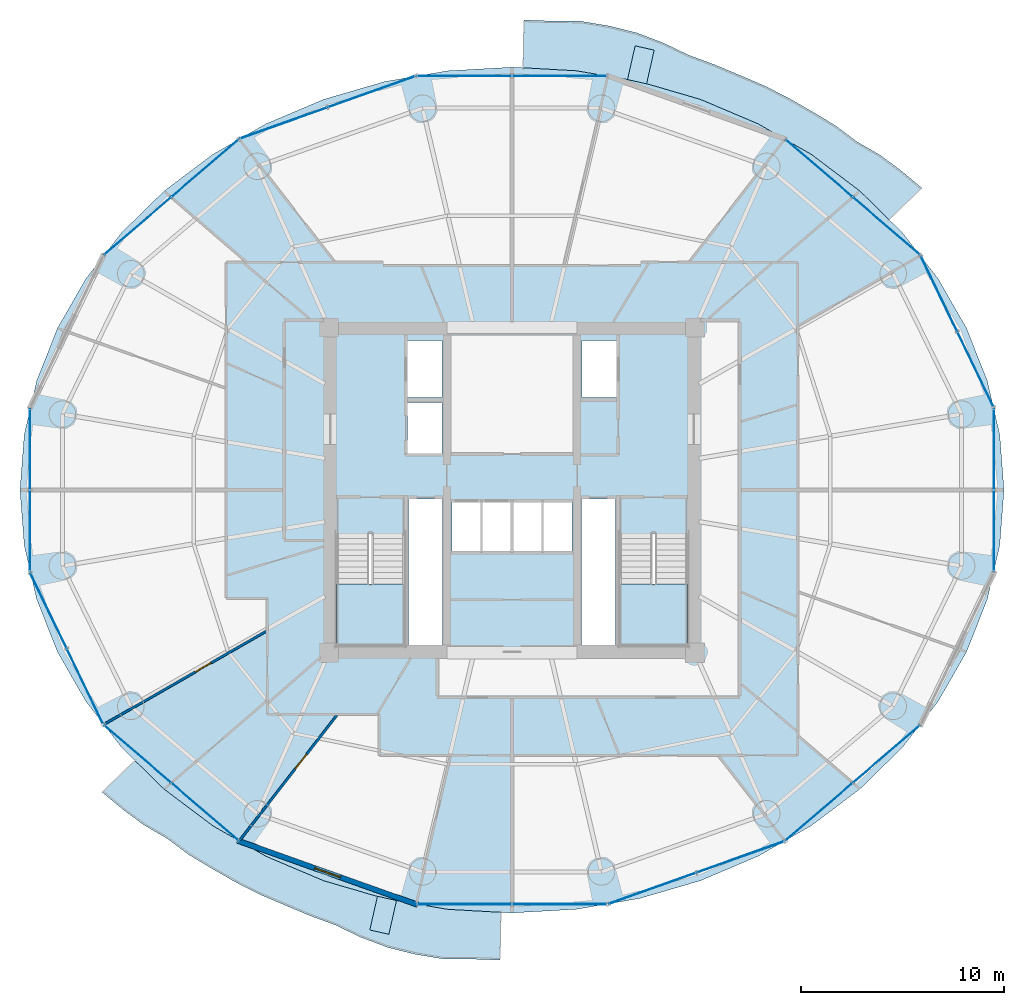
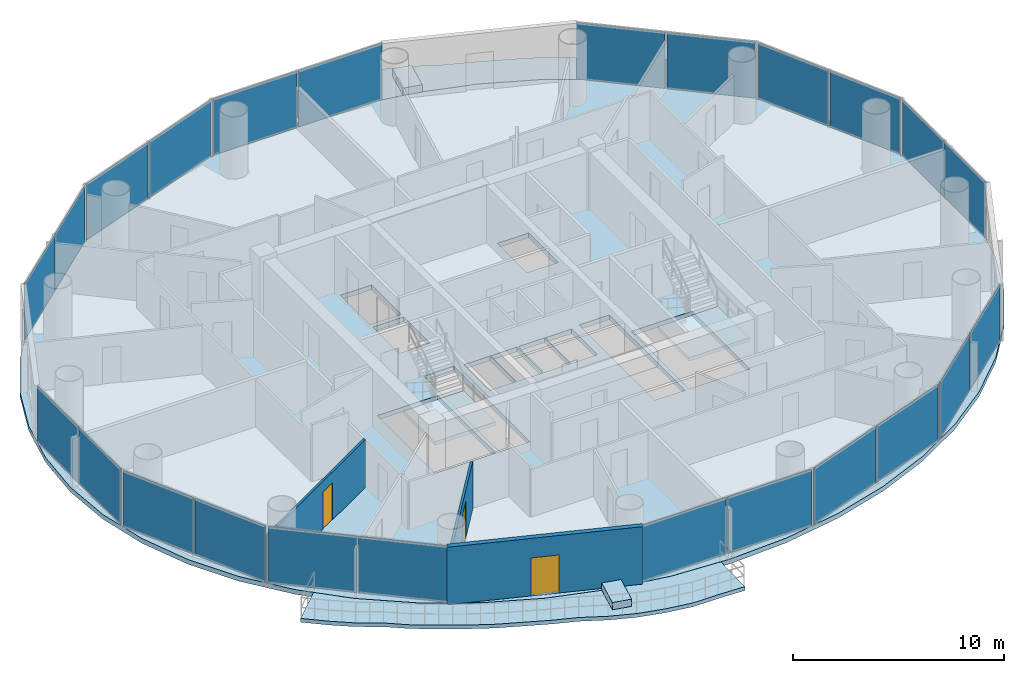
# One storey, part 20 of 27: 24 plates, 7 slabs, 3 doors, 3 walls, 3 openings, 14 elements without a shape of their own.
"""IFC4 building model written with IfcOpenShell, lengths in metres."""

from ifc_helpers import new_model, si_unit, direction, frame, frame_2d, origin, origin_2d, place, context, subcontext, project, spatial, polyline, rectangle, outline, extrude, source, transform, mapped, material, layer, layer_set, type_object, element, fill, aggregate, save


model = new_model("IFC4")

# Units and contexts
model_context = context("Model", 3, precision=1e-05, world=origin(), true_north=direction((-0.2419218956, 0.970295726276)))
body_context = subcontext(model_context, "Body", "Model", "MODEL_VIEW")
ifc_project = project(units=[si_unit("LENGTHUNIT", "METRE"), si_unit("AREAUNIT", "SQUARE_METRE"), si_unit("VOLUMEUNIT", "CUBIC_METRE"), si_unit("PLANEANGLEUNIT", "RADIAN"), si_unit("MASSUNIT", "GRAM", prefix="KILO")], contexts=[model_context])

# Site, building, storey
site_placement = place(None, origin())
site = spatial("IfcSite", under=ifc_project, at=site_placement, CompositionType="ELEMENT")
building_placement = place(site_placement, origin())
building = spatial("IfcBuilding", under=site, at=building_placement, Name="Cobrevalo Terracotta Tower", CompositionType="ELEMENT")
storey_placement = place(building_placement, frame((0.0, 0.0, 160.60009765625)))
storey = spatial("IfcBuildingStorey", under=building, at=storey_placement, Name="L42", CompositionType="ELEMENT", Elevation=160.60009765625)

# Stair, slab
ifc_material_1 = material(Name="Concrete C50", Category="concrete")
stair_type = type_object("IfcStairType", Name="Core protected escape dogleg stair 1600", PredefinedType="HALF_TURN_STAIR", material=ifc_material_1)
stair_1_placement = place(storey_placement, origin())
stair_1 = element("IfcStair", 1, at=stair_1_placement, inside=storey, type_object=stair_type, Name="L42 Protected exit stair ST-1", PredefinedType="HALF_TURN_STAIR")
ifc_layer_1 = layer(ifc_material_1, 0.199951171875)
ifc_layer_set_1 = layer_set([ifc_layer_1], Name="Concrete C50")
slab_type_1 = type_object("IfcSlabType", Name="Reinforced Concrete Stair Landing 200", PredefinedType="LANDING", material=ifc_layer_set_1)
slab_1_placement = place(storey_placement, frame((0.0, 0.0, 1.599853515625)))
slab_1 = element("IfcSlab", 2, at=slab_1_placement, type_object=slab_type_1, Name="ST-1 landing 1", PredefinedType="LANDING", context=body_context, shape_type="SweptSolid", body=[
    extrude(outline(polyline([(29.375, 22.179931640625), (29.375, 19.175048828125), (32.695068359375, 19.175048828125), (32.695068359375, 22.179931640625), (29.375, 22.179931640625)])), origin(), (0.0, 0.0, 1.0), 0.199951171875),
])
aggregate(stair_1, [slab_1])

stair_2_placement = place(storey_placement, origin())
stair_2 = element("IfcStair", 3, at=stair_2_placement, inside=storey, type_object=stair_type, Name="L42 Protected exit stair ST-2", PredefinedType="HALF_TURN_STAIR")
slab_2_placement = place(storey_placement, frame((0.0, 0.0, 1.599853515625)))
slab_2 = element("IfcSlab", 4, at=slab_2_placement, type_object=slab_type_1, Name="ST-2 landing 1", PredefinedType="LANDING", context=body_context, shape_type="SweptSolid", body=[
    extrude(outline(polyline([(43.304931640625, 22.179931640625), (43.304931640625, 19.175048828125), (46.625, 19.175048828125), (46.625, 22.179931640625), (43.304931640625, 22.179931640625)])), origin(), (0.0, 0.0, 1.0), 0.199951171875),
])
aggregate(stair_2, [slab_2])

# Slabs
ifc_material_2 = material(Name="Concrete C45", Category="concrete")
ifc_layer_2 = layer(ifc_material_2, 0.219970703125)
ifc_layer_set_2 = layer_set([ifc_layer_2], Name="Concrete C45")
slab_type_2 = type_object("IfcSlabType", Name="Spiralling cantilevered balcony lobe slab 220 mm", PredefinedType="FLOOR", material=ifc_layer_set_2)
slab_3_placement = place(storey_placement, frame((0.0, 0.0, -0.22021484375)))
element("IfcSlab", 5, at=slab_3_placement, inside=storey, type_object=slab_type_2, Name="L42 spiralling arc balcony slab lobe 1", PredefinedType="FLOOR", context=body_context, shape_type="SweptSolid", body=[
    extrude(outline(polyline([(58.165283203125, 41.65478515625), (57.156982421875, 42.4951171875), (56.10546875, 43.275634765625), (54.95654296875, 43.941650390625), (53.909423828125, 44.7275390625), (52.773681640625, 45.410888671875), (51.62109375, 46.072021484375), (50.434326171875, 46.67919921875), (49.195556640625, 47.205810546875), (47.9560546875, 47.728271484375), (46.6796875, 48.19921875), (45.427490234375, 48.8017578125), (44.1240234375, 49.292724609375), (42.768310546875, 49.630859375), (41.39111328125, 49.861572265625), (39.987060546875, 49.86962890625), (38.590576171875, 49.920654296875), (38.544921875, 47.5712890625), (41.158935546875, 47.424072265625), (44.263916015625, 46.893310546875), (47.26171875, 46.0185546875), (50.10107421875, 44.81494140625), (52.733154296875, 43.30322265625), (55.11328125, 41.50927734375), (56.556640625, 40.0947265625), (58.165283203125, 41.65478515625)])), origin(), (0.0, 0.0, 1.0), 0.22021484375),
])
slab_4_placement = place(storey_placement, frame((0.0, 0.0, -0.22021484375)))
element("IfcSlab", 6, at=slab_4_placement, inside=storey, type_object=slab_type_2, Name="L42 spiralling arc balcony slab lobe 2", PredefinedType="FLOOR", context=body_context, shape_type="SweptSolid", body=[
    extrude(outline(polyline([(17.834716796875, 11.945068359375), (18.843017578125, 11.10498046875), (19.89453125, 10.32421875), (21.04345703125, 9.658203125), (22.090576171875, 8.87255859375), (23.226318359375, 8.189208984375), (24.37890625, 7.52783203125), (25.565673828125, 6.920654296875), (26.804443359375, 6.39404296875), (28.0439453125, 5.871826171875), (29.3203125, 5.400634765625), (30.572509765625, 4.798095703125), (31.8759765625, 4.307373046875), (33.231689453125, 3.96923828125), (34.60888671875, 3.738525390625), (36.012939453125, 3.730224609375), (37.409423828125, 3.67919921875), (37.455078125, 6.02880859375), (34.841064453125, 6.176025390625), (31.736083984375, 6.706787109375), (28.73828125, 7.58154296875), (25.89892578125, 8.784912109375), (23.266845703125, 10.296630859375), (20.88671875, 12.0908203125), (19.443359375, 13.50537109375), (17.834716796875, 11.945068359375)])), origin(), (0.0, 0.0, 1.0), 0.22021484375),
])
ifc_material_3 = material(Name="Precast concrete C45", Category="concrete")
ifc_layer_3 = layer(ifc_material_3, 0.419921875)
ifc_layer_set_3 = layer_set([ifc_layer_3], Name="Precast concrete C45")
slab_type_3 = type_object("IfcSlabType", Name="Structural tree planter trough base 420 mm", PredefinedType="USERDEFINED", material=ifc_layer_set_3)
slab_5_placement = place(storey_placement, origin())
element("IfcSlab", 7, at=slab_5_placement, inside=storey, type_object=slab_type_3, Name="L42 structural tree planter trough 1", ObjectType="PLANTER", PredefinedType="USERDEFINED", context=body_context, shape_type="SweptSolid", body=[
    extrude(outline(polyline([(44.618408203125, 46.780517578125), (44.993408203125, 48.4384765625), (44.05712890625, 48.650390625), (43.68212890625, 46.9921875), (44.618408203125, 46.780517578125)])), origin(), (0.0, 0.0, 1.0), 0.419921875),
])
slab_6_placement = place(storey_placement, origin())
element("IfcSlab", 8, at=slab_6_placement, inside=storey, type_object=slab_type_3, Name="L42 structural tree planter trough 2", ObjectType="PLANTER", PredefinedType="USERDEFINED", context=body_context, shape_type="SweptSolid", body=[
    extrude(outline(polyline([(31.381591796875, 6.819580078125), (31.006591796875, 5.161376953125), (31.94287109375, 4.94970703125), (32.31787109375, 6.60791015625), (31.381591796875, 6.819580078125)])), origin(), (0.0, 0.0, 1.0), 0.419921875),
])
ifc_layer_4 = layer(ifc_material_1, 0.27001953125)
ifc_layer_set_4 = layer_set([ifc_layer_4], Name="Concrete C50")
slab_type_4 = type_object("IfcSlabType", Name="Zone Z3 elliptical floor plate 270 mm", PredefinedType="FLOOR", material=ifc_layer_set_4)
slab_7_placement = place(storey_placement, frame((0.0, 0.0, -0.27001953125)))
element("IfcSlab", 9, at=slab_7_placement, inside=storey, type_object=slab_type_4, Name="L42 indoor elliptical floor slab", PredefinedType="FLOOR", context=body_context, shape_type="SweptSolid", body=[
    extrude(outline(polyline([(61.992919921875, 24.0849609375), (61.37548828125, 21.41650390625), (60.35791015625, 18.840087890625), (58.957763671875, 16.39990234375), (57.19921875, 14.1376953125), (55.112060546875, 12.09228515625), (52.73193359375, 10.29833984375), (50.10009765625, 8.78662109375), (47.260986328125, 7.583251953125), (44.263427734375, 6.708740234375), (41.15869140625, 6.177978515625), (38.0, 6.0), (34.84130859375, 6.177978515625), (31.736572265625, 6.708740234375), (28.739013671875, 7.583251953125), (25.89990234375, 8.78662109375), (23.26806640625, 10.29833984375), (20.887939453125, 12.09228515625), (18.80078125, 14.1376953125), (17.042236328125, 16.39990234375), (15.64208984375, 18.840087890625), (14.62451171875, 21.41650390625), (14.007080078125, 24.0849609375), (13.800048828125, 26.800048828125), (14.007080078125, 29.514892578125), (14.62451171875, 32.183349609375), (15.64208984375, 34.759765625), (17.042236328125, 37.199951171875), (18.80078125, 39.462158203125), (20.887939453125, 41.5078125), (23.26806640625, 43.3017578125), (25.89990234375, 44.813232421875), (28.739013671875, 46.0166015625), (31.736572265625, 46.891357421875), (34.84130859375, 47.422119140625), (38.0, 47.60009765625), (41.15869140625, 47.422119140625), (44.263427734375, 46.891357421875), (47.260986328125, 46.0166015625), (50.10009765625, 44.813232421875), (52.73193359375, 43.3017578125), (55.112060546875, 41.5078125), (57.19921875, 39.462158203125), (58.957763671875, 37.199951171875), (60.35791015625, 34.759765625), (61.37548828125, 32.183349609375), (61.992919921875, 29.514892578125), (62.199951171875, 26.800048828125), (61.992919921875, 24.0849609375)]), holes=[polyline([(32.695068359375, 19.175048828125), (32.695068359375, 24.659912109375), (29.375, 24.659912109375), (29.375, 19.175048828125), (32.695068359375, 19.175048828125)]), polyline([(34.574951171875, 26.360107421875), (32.919921875, 26.360107421875), (32.919921875, 19.175048828125), (34.574951171875, 19.175048828125), (34.574951171875, 26.360107421875)]), polyline([(36.47998046875, 26.25), (35.050048828125, 26.25), (35.050048828125, 23.800048828125), (36.47998046875, 23.800048828125), (36.47998046875, 26.25)]), polyline([(37.9599609375, 23.800048828125), (37.9599609375, 26.25), (36.530029296875, 26.25), (36.530029296875, 23.800048828125), (37.9599609375, 23.800048828125)]), polyline([(34.550048828125, 28.60009765625), (34.550048828125, 31.10009765625), (32.85009765625, 31.10009765625), (32.85009765625, 28.60009765625), (34.550048828125, 28.60009765625)]), polyline([(34.550048828125, 34.14990234375), (32.85009765625, 34.14990234375), (32.85009765625, 31.35009765625), (34.550048828125, 31.35009765625), (34.550048828125, 34.14990234375)]), polyline([(43.304931640625, 19.175048828125), (46.625, 19.175048828125), (46.625, 24.659912109375), (43.304931640625, 24.659912109375), (43.304931640625, 19.175048828125)]), polyline([(43.080078125, 19.175048828125), (43.080078125, 26.360107421875), (41.425048828125, 26.360107421875), (41.425048828125, 19.175048828125), (43.080078125, 19.175048828125)]), polyline([(39.469970703125, 26.25), (38.0400390625, 26.25), (38.0400390625, 23.800048828125), (39.469970703125, 23.800048828125), (39.469970703125, 26.25)]), polyline([(40.949951171875, 23.800048828125), (40.949951171875, 26.25), (39.52001953125, 26.25), (39.52001953125, 23.800048828125), (40.949951171875, 23.800048828125)]), polyline([(43.14990234375, 31.35009765625), (43.14990234375, 34.14990234375), (41.449951171875, 34.14990234375), (41.449951171875, 31.35009765625), (43.14990234375, 31.35009765625)])]), origin(), (0.0, 0.0, 1.0), 0.27001953125),
])

# Curtain wall, plates
ifc_material_4 = material(Name="Anodized aluminium", Category="aluminium")
curtain_wall_type = type_object("IfcCurtainWallType", Name="Mid-tower high-wind unitised curtain wall CW-U2", PredefinedType="NOTDEFINED", material=ifc_material_4)
curtain_wall_1_placement = place(storey_placement, origin())
curtain_wall_1 = element("IfcCurtainWall", 10, at=curtain_wall_1_placement, inside=storey, type_object=curtain_wall_type, Name="L42 curtain wall CW-L42-S02", PredefinedType="NOTDEFINED")
ifc_material_5 = material(Name="Solar-control low-E double glazing", Category="glass")
ifc_layer_5 = layer(ifc_material_5, 0.028076171875)
ifc_layer_set_5 = layer_set([ifc_layer_5], Name="Solar-control low-E double glazing")
plate_type = type_object("IfcPlateType", Name="Tower solar-control low-E vision glass panel 28 mm", PredefinedType="CURTAIN_PANEL", material=ifc_layer_set_5)
shared_shape_1 = source(origin(), body_context, "Body", "SweptSolid", [
    extrude(rectangle(XDim=4.276123046875, YDim=0.035888671875, at=origin_2d()), origin(), (0.0, 0.0, 1.0), 3.25),
])
plate_1_placement = place(storey_placement, frame((56.414306640625, 39.784912109375, 0.039794921875), z_axis=(0.0, 0.0, 1.0), x_axis=(-0.758436996112, 0.651746363955, 0.0)))
plate_1 = element("IfcPlate", 11, at=plate_1_placement, type_object=plate_type, Name="CW-L42-S02 glazing panel B01", PredefinedType="CURTAIN_PANEL", context=body_context, shape_type="MappedRepresentation", body=[
    mapped(shared_shape_1, transform((0.0, 0.0, 0.0), scale=1.0)),
])
plate_2_placement = place(storey_placement, frame((53.1103515625, 42.6240234375, 0.039794921875), z_axis=(0.0, 0.0, 1.0), x_axis=(-0.758436996112, 0.651746363955, 0.0)))
plate_2 = element("IfcPlate", 12, at=plate_2_placement, type_object=plate_type, Name="CW-L42-S02 glazing panel B02", PredefinedType="CURTAIN_PANEL", context=body_context, shape_type="MappedRepresentation", body=[
    mapped(shared_shape_1, transform((0.0, 0.0, 0.0), scale=1.0)),
])
aggregate(curtain_wall_1, [plate_1, plate_2])

curtain_wall_2_placement = place(storey_placement, origin())
curtain_wall_2 = element("IfcCurtainWall", 13, at=curtain_wall_2_placement, inside=storey, type_object=curtain_wall_type, Name="L42 curtain wall CW-L42-S06", PredefinedType="NOTDEFINED")
plate_3_placement = place(storey_placement, frame((22.8896484375, 42.6240234375, 0.039794921875), z_axis=(0.0, 0.0, 1.0), x_axis=(-0.758436996112, -0.651746363955, 0.0)))
plate_3 = element("IfcPlate", 14, at=plate_3_placement, type_object=plate_type, Name="CW-L42-S06 glazing panel B01", PredefinedType="CURTAIN_PANEL", context=body_context, shape_type="MappedRepresentation", body=[
    mapped(shared_shape_1, transform((0.0, 0.0, 0.0), scale=1.0)),
])
plate_4_placement = place(storey_placement, frame((19.585693359375, 39.784912109375, 0.039794921875), z_axis=(0.0, 0.0, 1.0), x_axis=(-0.758436996112, -0.651746363955, 0.0)))
plate_4 = element("IfcPlate", 15, at=plate_4_placement, type_object=plate_type, Name="CW-L42-S06 glazing panel B02", PredefinedType="CURTAIN_PANEL", context=body_context, shape_type="MappedRepresentation", body=[
    mapped(shared_shape_1, transform((0.0, 0.0, 0.0), scale=1.0)),
])
aggregate(curtain_wall_2, [plate_3, plate_4])

curtain_wall_3_placement = place(storey_placement, origin())
curtain_wall_3 = element("IfcCurtainWall", 16, at=curtain_wall_3_placement, inside=storey, type_object=curtain_wall_type, Name="L42 curtain wall CW-L42-S10", PredefinedType="NOTDEFINED")
plate_5_placement = place(storey_placement, frame((19.585693359375, 13.815185546875, 0.039794921875), z_axis=(0.0, 0.0, 1.0), x_axis=(0.758436996112, -0.651746363955, 0.0)))
plate_5 = element("IfcPlate", 17, at=plate_5_placement, type_object=plate_type, Name="CW-L42-S10 glazing panel B01", PredefinedType="CURTAIN_PANEL", context=body_context, shape_type="MappedRepresentation", body=[
    mapped(shared_shape_1, transform((0.0, 0.0, 0.0), scale=1.0)),
])
plate_6_placement = place(storey_placement, frame((22.8896484375, 10.97607421875, 0.039794921875), z_axis=(0.0, 0.0, 1.0), x_axis=(0.758436996112, -0.651746363955, 0.0)))
plate_6 = element("IfcPlate", 18, at=plate_6_placement, type_object=plate_type, Name="CW-L42-S10 glazing panel B02", PredefinedType="CURTAIN_PANEL", context=body_context, shape_type="MappedRepresentation", body=[
    mapped(shared_shape_1, transform((0.0, 0.0, 0.0), scale=1.0)),
])
aggregate(curtain_wall_3, [plate_5, plate_6])

curtain_wall_4_placement = place(storey_placement, origin())
curtain_wall_4 = element("IfcCurtainWall", 19, at=curtain_wall_4_placement, inside=storey, type_object=curtain_wall_type, Name="L42 curtain wall CW-L42-S14", PredefinedType="NOTDEFINED")
plate_7_placement = place(storey_placement, frame((53.1103515625, 10.97607421875, 0.039794921875), z_axis=(0.0, 0.0, 1.0), x_axis=(0.758436996112, 0.651746363955, 0.0)))
plate_7 = element("IfcPlate", 20, at=plate_7_placement, type_object=plate_type, Name="CW-L42-S14 glazing panel B01", PredefinedType="CURTAIN_PANEL", context=body_context, shape_type="MappedRepresentation", body=[
    mapped(shared_shape_1, transform((0.0, 0.0, 0.0), scale=1.0)),
])
plate_8_placement = place(storey_placement, frame((56.414306640625, 13.815185546875, 0.039794921875), z_axis=(0.0, 0.0, 1.0), x_axis=(0.758436996112, 0.651746363955, 0.0)))
plate_8 = element("IfcPlate", 21, at=plate_8_placement, type_object=plate_type, Name="CW-L42-S14 glazing panel B02", PredefinedType="CURTAIN_PANEL", context=body_context, shape_type="MappedRepresentation", body=[
    mapped(shared_shape_1, transform((0.0, 0.0, 0.0), scale=1.0)),
])
aggregate(curtain_wall_4, [plate_7, plate_8])

curtain_wall_5_placement = place(storey_placement, origin())
curtain_wall_5 = element("IfcCurtainWall", 22, at=curtain_wall_5_placement, inside=storey, type_object=curtain_wall_type, Name="L42 curtain wall CW-L42-S04", PredefinedType="NOTDEFINED")
shared_shape_2 = source(origin(), body_context, "Body", "SweptSolid", [
    extrude(rectangle(XDim=4.59521484375, YDim=0.035888671875, at=origin_2d()), origin(), (0.0, 0.0, 1.0), 3.25),
])
plate_9_placement = place(storey_placement, frame((40.337646484375, 47.1708984375, 0.039794921875), z_axis=(0.0, 0.0, 1.0), x_axis=(-1.0, 0.0, 0.0)))
plate_9 = element("IfcPlate", 23, at=plate_9_placement, type_object=plate_type, Name="CW-L42-S04 glazing panel B01", PredefinedType="CURTAIN_PANEL", context=body_context, shape_type="MappedRepresentation", body=[
    mapped(shared_shape_2, transform((0.0, 0.0, 0.0), scale=1.0)),
])
plate_10_placement = place(storey_placement, frame((35.662353515625, 47.1708984375, 0.039794921875), z_axis=(0.0, 0.0, 1.0), x_axis=(-1.0, 0.0, 0.0)))
plate_10 = element("IfcPlate", 24, at=plate_10_placement, type_object=plate_type, Name="CW-L42-S04 glazing panel B02", PredefinedType="CURTAIN_PANEL", context=body_context, shape_type="MappedRepresentation", body=[
    mapped(shared_shape_2, transform((0.0, 0.0, 0.0), scale=1.0)),
])
aggregate(curtain_wall_5, [plate_9, plate_10])

curtain_wall_6_placement = place(storey_placement, origin())
curtain_wall_6 = element("IfcCurtainWall", 25, at=curtain_wall_6_placement, inside=storey, type_object=curtain_wall_type, Name="L42 curtain wall CW-L42-S12", PredefinedType="NOTDEFINED")
plate_11_placement = place(storey_placement, frame((35.662353515625, 6.42919921875, 0.039794921875), z_axis=(0.0, 0.0, 1.0), x_axis=(1.0, 0.0, 0.0)))
plate_11 = element("IfcPlate", 26, at=plate_11_placement, type_object=plate_type, Name="CW-L42-S12 glazing panel B01", PredefinedType="CURTAIN_PANEL", context=body_context, shape_type="MappedRepresentation", body=[
    mapped(shared_shape_2, transform((0.0, 0.0, 0.0), scale=1.0)),
])
plate_12_placement = place(storey_placement, frame((40.337646484375, 6.42919921875, 0.039794921875), z_axis=(0.0, 0.0, 1.0), x_axis=(1.0, 0.0, 0.0)))
plate_12 = element("IfcPlate", 27, at=plate_12_placement, type_object=plate_type, Name="CW-L42-S12 glazing panel B02", PredefinedType="CURTAIN_PANEL", context=body_context, shape_type="MappedRepresentation", body=[
    mapped(shared_shape_2, transform((0.0, 0.0, 0.0), scale=1.0)),
])
aggregate(curtain_wall_6, [plate_11, plate_12])

curtain_wall_7_placement = place(storey_placement, origin())
curtain_wall_7 = element("IfcCurtainWall", 28, at=curtain_wall_7_placement, inside=storey, type_object=curtain_wall_type, Name="L42 curtain wall CW-L42-S01", PredefinedType="NOTDEFINED")
shared_shape_3 = source(origin(), body_context, "Body", "SweptSolid", [
    extrude(rectangle(XDim=4.035888671875, YDim=0.035888671875, at=origin_2d()), origin(), (0.0, 0.0, 1.0), 3.25),
])
plate_13_placement = place(storey_placement, frame((60.794677734375, 32.741943359375, 0.039794921875), z_axis=(0.0, 0.0, 1.0), x_axis=(-0.434209440271, 0.900811945957, 0.0)))
plate_13 = element("IfcPlate", 29, at=plate_13_placement, type_object=plate_type, Name="CW-L42-S01 glazing panel B01", PredefinedType="CURTAIN_PANEL", context=body_context, shape_type="MappedRepresentation", body=[
    mapped(shared_shape_3, transform((0.0, 0.0, 0.0), scale=1.0)),
])
plate_14_placement = place(storey_placement, frame((59.007568359375, 36.449462890625, 0.039794921875), z_axis=(0.0, 0.0, 1.0), x_axis=(-0.434209440271, 0.900811945957, 0.0)))
plate_14 = element("IfcPlate", 30, at=plate_14_placement, type_object=plate_type, Name="CW-L42-S01 glazing panel B02", PredefinedType="CURTAIN_PANEL", context=body_context, shape_type="MappedRepresentation", body=[
    mapped(shared_shape_3, transform((0.0, 0.0, 0.0), scale=1.0)),
])
aggregate(curtain_wall_7, [plate_13, plate_14])

curtain_wall_8_placement = place(storey_placement, origin())
curtain_wall_8 = element("IfcCurtainWall", 31, at=curtain_wall_8_placement, inside=storey, type_object=curtain_wall_type, Name="L42 curtain wall CW-L42-S09", PredefinedType="NOTDEFINED")
plate_15_placement = place(storey_placement, frame((15.205322265625, 20.858154296875, 0.039794921875), z_axis=(0.0, 0.0, 1.0), x_axis=(0.434209440271, -0.900811945957, 0.0)))
plate_15 = element("IfcPlate", 32, at=plate_15_placement, type_object=plate_type, Name="CW-L42-S09 glazing panel B01", PredefinedType="CURTAIN_PANEL", context=body_context, shape_type="MappedRepresentation", body=[
    mapped(shared_shape_3, transform((0.0, 0.0, 0.0), scale=1.0)),
])
plate_16_placement = place(storey_placement, frame((16.992431640625, 17.150634765625, 0.039794921875), z_axis=(0.0, 0.0, 1.0), x_axis=(0.434209440271, -0.900811945957, 0.0)))
plate_16 = element("IfcPlate", 33, at=plate_16_placement, type_object=plate_type, Name="CW-L42-S09 glazing panel B02", PredefinedType="CURTAIN_PANEL", context=body_context, shape_type="MappedRepresentation", body=[
    mapped(shared_shape_3, transform((0.0, 0.0, 0.0), scale=1.0)),
])
aggregate(curtain_wall_8, [plate_15, plate_16])

curtain_wall_9_placement = place(storey_placement, origin())
curtain_wall_9 = element("IfcCurtainWall", 34, at=curtain_wall_9_placement, inside=storey, type_object=curtain_wall_type, Name="L42 curtain wall CW-L42-S08", PredefinedType="NOTDEFINED")
shared_shape_4 = source(origin(), body_context, "Body", "SweptSolid", [
    extrude(rectangle(XDim=3.931884765625, YDim=0.035888671875, at=origin_2d()), origin(), (0.0, 0.0, 1.0), 3.25),
])
plate_17_placement = place(storey_placement, frame((14.29443359375, 28.805908203125, 0.039794921875), z_axis=(0.0, 0.0, 1.0), x_axis=(0.0, -1.0, 0.0)))
plate_17 = element("IfcPlate", 35, at=plate_17_placement, type_object=plate_type, Name="CW-L42-S08 glazing panel B01", PredefinedType="CURTAIN_PANEL", context=body_context, shape_type="MappedRepresentation", body=[
    mapped(shared_shape_4, transform((0.0, 0.0, 0.0), scale=1.0)),
])
plate_18_placement = place(storey_placement, frame((14.29443359375, 24.7939453125, 0.039794921875), z_axis=(0.0, 0.0, 1.0), x_axis=(0.0, -1.0, 0.0)))
plate_18 = element("IfcPlate", 36, at=plate_18_placement, type_object=plate_type, Name="CW-L42-S08 glazing panel B02", PredefinedType="CURTAIN_PANEL", context=body_context, shape_type="MappedRepresentation", body=[
    mapped(shared_shape_4, transform((0.0, 0.0, 0.0), scale=1.0)),
])
aggregate(curtain_wall_9, [plate_17, plate_18])

curtain_wall_10_placement = place(storey_placement, origin())
curtain_wall_10 = element("IfcCurtainWall", 37, at=curtain_wall_10_placement, inside=storey, type_object=curtain_wall_type, Name="L42 curtain wall CW-L42-S16", PredefinedType="NOTDEFINED")
plate_19_placement = place(storey_placement, frame((61.70556640625, 24.7939453125, 0.039794921875), z_axis=(0.0, 0.0, 1.0), x_axis=(0.0, 1.0, 0.0)))
plate_19 = element("IfcPlate", 38, at=plate_19_placement, type_object=plate_type, Name="CW-L42-S16 glazing panel B01", PredefinedType="CURTAIN_PANEL", context=body_context, shape_type="MappedRepresentation", body=[
    mapped(shared_shape_4, transform((0.0, 0.0, 0.0), scale=1.0)),
])
plate_20_placement = place(storey_placement, frame((61.70556640625, 28.805908203125, 0.039794921875), z_axis=(0.0, 0.0, 1.0), x_axis=(0.0, 1.0, 0.0)))
plate_20 = element("IfcPlate", 39, at=plate_20_placement, type_object=plate_type, Name="CW-L42-S16 glazing panel B02", PredefinedType="CURTAIN_PANEL", context=body_context, shape_type="MappedRepresentation", body=[
    mapped(shared_shape_4, transform((0.0, 0.0, 0.0), scale=1.0)),
])
aggregate(curtain_wall_10, [plate_19, plate_20])

curtain_wall_11_placement = place(storey_placement, origin())
curtain_wall_11 = element("IfcCurtainWall", 40, at=curtain_wall_11_placement, inside=storey, type_object=curtain_wall_type, Name="L42 curtain wall CW-L42-S05", PredefinedType="NOTDEFINED")
shared_shape_5 = source(origin(), body_context, "Body", "SweptSolid", [
    extrude(rectangle(XDim=4.504150390625, YDim=0.035888671875, at=origin_2d()), origin(), (0.0, 0.0, 1.0), 3.25),
])
plate_21_placement = place(storey_placement, frame((31.087646484375, 46.388916015625, 0.039794921875), z_axis=(0.0, 0.0, 1.0), x_axis=(-0.942098428897, -0.335336473217, 0.0)))
plate_21 = element("IfcPlate", 41, at=plate_21_placement, type_object=plate_type, Name="CW-L42-S05 glazing panel B01", PredefinedType="CURTAIN_PANEL", context=body_context, shape_type="MappedRepresentation", body=[
    mapped(shared_shape_5, transform((0.0, 0.0, 0.0), scale=1.0)),
])
plate_22_placement = place(storey_placement, frame((26.768798828125, 44.8515625, 0.039794921875), z_axis=(0.0, 0.0, 1.0), x_axis=(-0.942098428897, -0.335336473217, 0.0)))
plate_22 = element("IfcPlate", 42, at=plate_22_placement, type_object=plate_type, Name="CW-L42-S05 glazing panel B02", PredefinedType="CURTAIN_PANEL", context=body_context, shape_type="MappedRepresentation", body=[
    mapped(shared_shape_5, transform((0.0, 0.0, 0.0), scale=1.0)),
])
aggregate(curtain_wall_11, [plate_21, plate_22])

curtain_wall_12_placement = place(storey_placement, origin())
curtain_wall_12 = element("IfcCurtainWall", 43, at=curtain_wall_12_placement, inside=storey, type_object=curtain_wall_type, Name="L42 curtain wall CW-L42-S13", PredefinedType="NOTDEFINED")
plate_23_placement = place(storey_placement, frame((44.912353515625, 7.211181640625, 0.039794921875), z_axis=(0.0, 0.0, 1.0), x_axis=(0.942098428897, 0.335336473217, 0.0)))
plate_23 = element("IfcPlate", 44, at=plate_23_placement, type_object=plate_type, Name="CW-L42-S13 glazing panel B01", PredefinedType="CURTAIN_PANEL", context=body_context, shape_type="MappedRepresentation", body=[
    mapped(shared_shape_5, transform((0.0, 0.0, 0.0), scale=1.0)),
])
plate_24_placement = place(storey_placement, frame((49.231201171875, 8.748291015625, 0.039794921875), z_axis=(0.0, 0.0, 1.0), x_axis=(0.942098428897, 0.335336473217, 0.0)))
plate_24 = element("IfcPlate", 45, at=plate_24_placement, type_object=plate_type, Name="CW-L42-S13 glazing panel B02", PredefinedType="CURTAIN_PANEL", context=body_context, shape_type="MappedRepresentation", body=[
    mapped(shared_shape_5, transform((0.0, 0.0, 0.0), scale=1.0)),
])
aggregate(curtain_wall_12, [plate_23, plate_24])

# Wall, opening, door
ifc_material_6 = material(Name="Autoclaved aerated concrete block", Category="concrete")
ifc_layer_6 = layer(ifc_material_6, 0.260009765625)
ifc_layer_set_6 = layer_set([ifc_layer_6], Name="Autoclaved aerated concrete block")
wall_type_1 = type_object("IfcWallType", Name="Recessed balcony loggia insulated exterior wall 260 mm", PredefinedType="SOLIDWALL", material=ifc_layer_set_6)
wall_1_placement = place(storey_placement, frame((24.49658203125, 9.55712890625, 0.0), z_axis=(0.0, 0.0, 1.0), x_axis=(0.942103604331, -0.335321932934, 0.0)))
wall_1 = element("IfcWall", 46, at=wall_1_placement, inside=storey, type_object=wall_type_1, Name="L42 balcony loggia wall S11", PredefinedType="SOLIDWALL", context=body_context, shape_type="SweptSolid", body=[
    extrude(rectangle(XDim=9.408203125, YDim=0.260009765625, at=frame_2d((4.7041015625, 0.0))), origin(), (0.0, 0.0, 1.0), 3.329833984375),
])
opening_1_placement = place(wall_1_placement, frame((4.029052734375, 0.0, 0.0)))
opening_1 = element("IfcOpeningElement", 47, at=opening_1_placement, cuts=wall_1, Name="Opening ED-05", PredefinedType="OPENING", context=body_context, shape_type="SweptSolid", body=[
    extrude(rectangle(XDim=1.35009765625, YDim=2.199951171875, at=frame_2d((0.675048828125, 1.10009765625))), frame((0.0, 0.14013671875, 0.0), z_axis=(0.0, -1.0, 0.0), x_axis=(1.0, 0.0, 0.0)), (0.0, 0.0, 1.0), 0.280029296875),
])
ifc_material_7 = material(Name="Anodized aluminium and laminated glass", Category="aluminium")
door_type_1 = type_object("IfcDoorType", Name="Suite balcony acoustic glazed terrace door 1350x2200", OperationType="NOTDEFINED", PredefinedType="DOOR", material=ifc_material_7)
shared_shape_6 = source(origin(), body_context, "Body", "SweptSolid", [
    extrude(rectangle(XDim=1.35009765625, YDim=2.199951171875, at=frame_2d((0.675048828125, 1.10009765625))), frame((0.0, 0.02490234375, 0.0), z_axis=(0.0, -1.0, 0.0), x_axis=(1.0, 0.0, 0.0)), (0.0, 0.0, 1.0), 0.050048828125),
])
door_1_placement = place(opening_1_placement, frame((1.35009765625, 0.0, 0.0), z_axis=(0.0, 0.0, 1.0), x_axis=(-1.0, 0.0, 0.0)))
door_1 = element("IfcDoor", 48, at=door_1_placement, inside=storey, type_object=door_type_1, Name="L42 glazed balcony terrace door 2", OperationType="SINGLE_SWING_RIGHT", OverallHeight=2.199951171875, OverallWidth=1.35009765625, PredefinedType="DOOR", context=body_context, shape_type="MappedRepresentation", body=[
    mapped(shared_shape_6, transform((0.0, 0.0, 0.0), scale=1.0)),
])
fill(opening_1, door_1)

ifc_material_8 = material(Name="Gypsum board on steel stud", Category="steel")
ifc_layer_7 = layer(ifc_material_8, 0.1201171875)
ifc_layer_set_7 = layer_set([ifc_layer_7], Name="Gypsum board on steel stud")
wall_type_2 = type_object("IfcWallType", Name="Residential internal acoustic stud partition 120 mm", PredefinedType="PARTITIONING", material=ifc_layer_set_7)
wall_2_placement = place(storey_placement, frame((25.9111328125, 19.857421875, 0.0), z_axis=(0.0, 0.0, 1.0), x_axis=(-0.867160939672, -0.498028015986, 0.0)))
wall_2 = element("IfcWall", 49, at=wall_2_placement, inside=storey, type_object=wall_type_2, Name="L42 interior partition IW-L42-U3-ORAD1", PredefinedType="PARTITIONING", context=body_context, shape_type="SweptSolid", body=[
    extrude(rectangle(XDim=9.15234375, YDim=0.1201171875, at=frame_2d((4.576171875, 0.0))), origin(), (0.0, 0.0, 1.0), 2.77587890625),
])
opening_2_placement = place(wall_2_placement, frame((3.1240234375, 0.0, 0.0)))
opening_2 = element("IfcOpeningElement", 50, at=opening_2_placement, cuts=wall_2, Name="Opening ID-12", PredefinedType="OPENING", context=body_context, shape_type="SweptSolid", body=[
    extrude(rectangle(XDim=0.89990234375, YDim=2.14990234375, at=frame_2d((0.449951171875, 1.074951171875))), frame((0.0, 0.070068359375, 0.0), z_axis=(0.0, -1.0, 0.0), x_axis=(1.0, 0.0, 0.0)), (0.0, 0.0, 1.0), 0.14013671875),
])
ifc_material_9 = material(Name="Engineered timber", Category="wood")
door_type_2 = type_object("IfcDoorType", Name="Internal residence & suite timber door 900x2150", OperationType="NOTDEFINED", PredefinedType="DOOR", material=ifc_material_9)
shared_shape_7 = source(origin(), body_context, "Body", "SweptSolid", [
    extrude(rectangle(XDim=0.89990234375, YDim=2.14990234375, at=frame_2d((0.449951171875, 1.074951171875))), frame((0.0, 0.02490234375, 0.0), z_axis=(0.0, -1.0, 0.0), x_axis=(1.0, 0.0, 0.0)), (0.0, 0.0, 1.0), 0.050048828125),
])
door_2_placement = place(opening_2_placement, frame((0.89990234375, 0.0, 0.0), z_axis=(0.0, 0.0, 1.0), x_axis=(-1.0, 0.0, 0.0)))
door_2 = element("IfcDoor", 51, at=door_2_placement, inside=storey, type_object=door_type_2, Name="Flat L42C Penthouse Living and Dining Room internal door", OperationType="SINGLE_SWING_RIGHT", OverallHeight=2.14990234375, OverallWidth=0.89990234375, PredefinedType="DOOR", context=body_context, shape_type="MappedRepresentation", body=[
    mapped(shared_shape_7, transform((0.0, 0.0, 0.0), scale=1.0)),
])
fill(opening_2, door_2)

wall_3_placement = place(storey_placement, frame((29.38330078125, 15.716064453125, 0.0), z_axis=(0.0, 0.0, 1.0), x_axis=(-0.613751061882, -0.789499609904, 0.0)))
wall_3 = element("IfcWall", 52, at=wall_3_placement, inside=storey, type_object=wall_type_2, Name="L42 interior partition IW-L42-U3-ORAD3M1", PredefinedType="PARTITIONING", context=body_context, shape_type="SweptSolid", body=[
    extrude(rectangle(XDim=7.75830078125, YDim=0.1201171875, at=frame_2d((3.879150390625, 0.0))), origin(), (0.0, 0.0, 1.0), 2.77587890625),
])
opening_3_placement = place(wall_3_placement, frame((2.42626953125, 0.0, 0.0)))
opening_3 = element("IfcOpeningElement", 53, at=opening_3_placement, cuts=wall_3, Name="Opening ID-12", PredefinedType="OPENING", context=body_context, shape_type="SweptSolid", body=[
    extrude(rectangle(XDim=0.89990234375, YDim=2.14990234375, at=frame_2d((0.449951171875, 1.074951171875))), frame((0.0, 0.070068359375, 0.0), z_axis=(0.0, -1.0, 0.0), x_axis=(1.0, 0.0, 0.0)), (0.0, 0.0, 1.0), 0.14013671875),
])
door_3_placement = place(opening_3_placement, frame((0.89990234375, 0.0, 0.0), z_axis=(0.0, 0.0, 1.0), x_axis=(-1.0, 0.0, 0.0)))
door_3 = element("IfcDoor", 54, at=door_3_placement, inside=storey, type_object=door_type_2, Name="Flat L42C Principal Guest Bedroom internal door", OperationType="SINGLE_SWING_RIGHT", OverallHeight=2.14990234375, OverallWidth=0.89990234375, PredefinedType="DOOR", context=body_context, shape_type="MappedRepresentation", body=[
    mapped(shared_shape_7, transform((0.0, 0.0, 0.0), scale=1.0)),
])
fill(opening_3, door_3)

save(model, "model.ifc")
